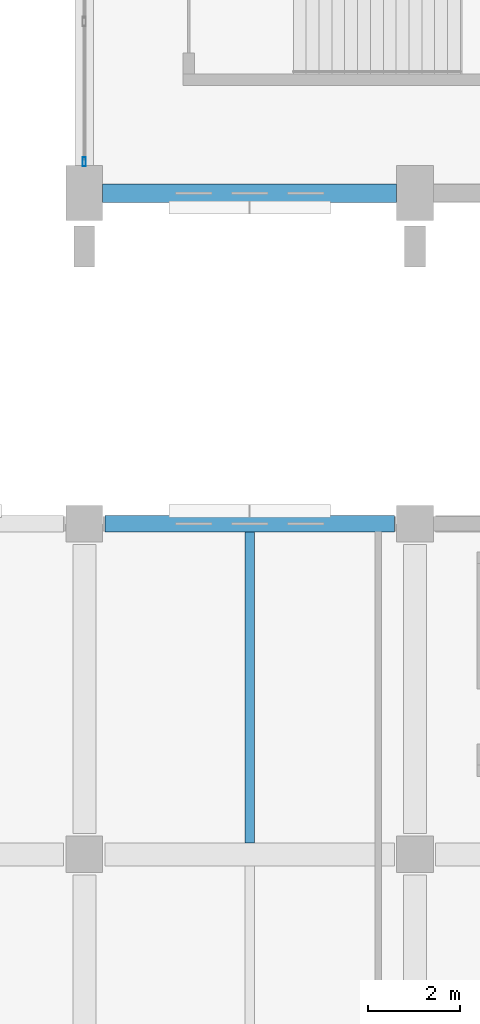
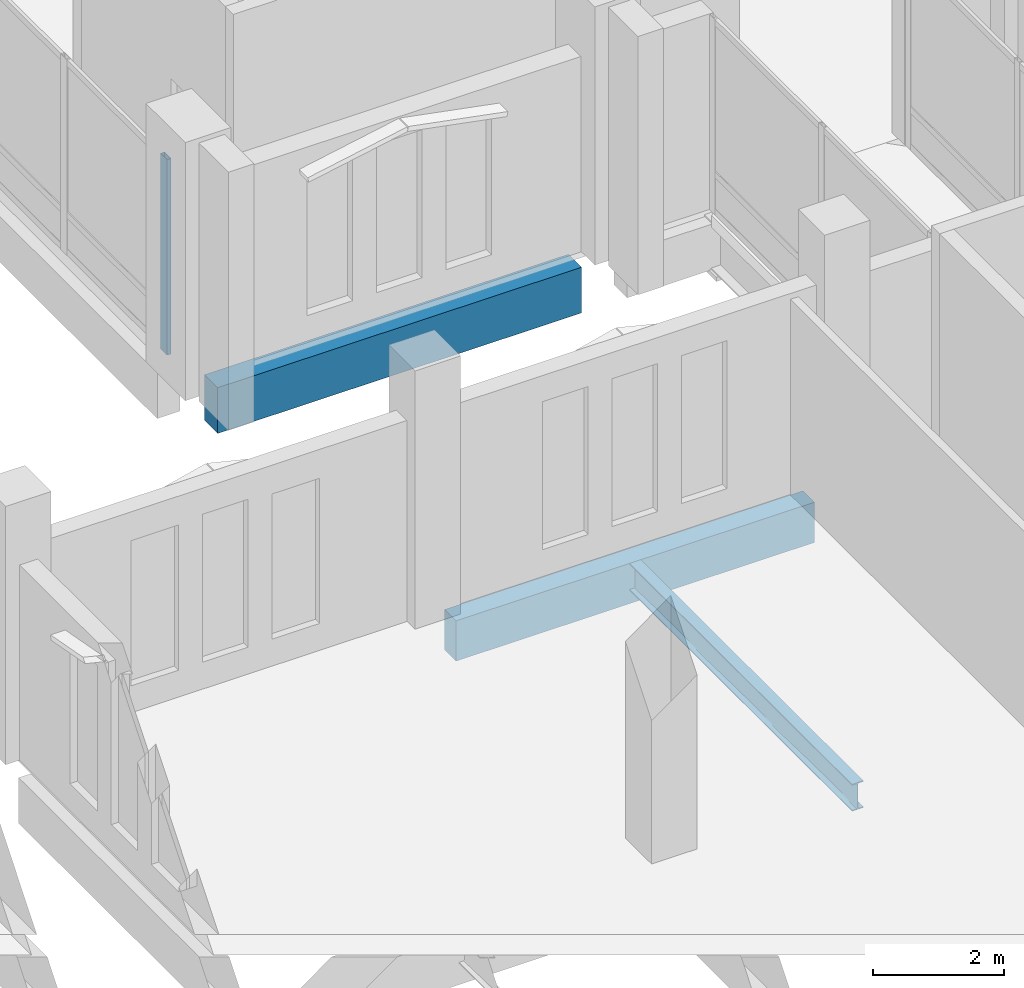
# One storey, part 85 of 220: 3 beams, 1 member, 1 element without a shape of its own.
"""IFC4 building model written with IfcOpenShell, lengths in metres."""

import ifcopenshell
import ifcopenshell.guid

model = None  # the IFC model being written
_history = None  # IfcOwnerHistory: only IFC2X3 demands one
_inside = {}  # id of a spatial element -> (the spatial element, [elements in it])
_under = {}  # id of a project, library or spatial element -> (it, [spatial elements below it])
_declared = {}  # id of a project -> (the project, [libraries it declares])
_typed = {}  # id of a type object -> (the type object, [elements of that type])
_made_of = {}  # id of a material, layer set ... -> (it, [elements and type objects made of it])


def new_model(schema):
    """Start an empty IFC model of exactly this schema.

    Asked for "IFC4X3", IfcOpenShell would pick the latest addendum, in which some entities
    have other attributes; the version numbers below select the first issue.
    IFC2X3 requires an IfcOwnerHistory on every rooted entity: one is made here for all.
    """
    global model, _history
    if schema == "IFC4X3":
        model = ifcopenshell.file(schema_version=(4, 3, 0, 0))
    else:
        model = ifcopenshell.file(schema=schema)
    _inside.clear()
    _under.clear()
    _declared.clear()
    _typed.clear()
    _made_of.clear()
    _history = None
    if model.schema == "IFC2X3":
        org = make("IfcOrganization", Name="unknown")
        user = make(
            "IfcPersonAndOrganization",
            ThePerson=make("IfcPerson", FamilyName="unknown"),
            TheOrganization=org,
        )
        app = make(
            "IfcApplication",
            ApplicationDeveloper=org,
            Version="unknown",
            ApplicationFullName="unknown",
            ApplicationIdentifier="unknown",
        )
        _history = make(
            "IfcOwnerHistory",
            OwningUser=user,
            OwningApplication=app,
            ChangeAction="ADDED",
            CreationDate=0,
        )
    return model


def make(cls, **values):
    """One entity of the class cls with the attributes given. An attribute that is None is left unset."""
    return model.create_entity(
        cls, **{name: value for name, value in values.items() if value is not None}
    )


def rooted(cls, **values):
    """An entity with a GlobalId (a new one), such as an element, a storey or a relation."""
    return make(cls, GlobalId=ifcopenshell.guid.new(), OwnerHistory=_history, **values)


def si_unit(unit_type, name, prefix=None):
    """IfcSIUnit, for example si_unit("LENGTHUNIT", "METRE", prefix="MILLI")."""
    return make("IfcSIUnit", UnitType=unit_type, Prefix=prefix, Name=name)


def assignment(units):
    """IfcUnitAssignment: the units of a project."""
    return None if units is None else make("IfcUnitAssignment", Units=units)


def point(xyz):
    """IfcCartesianPoint."""
    return None if xyz is None else make("IfcCartesianPoint", Coordinates=xyz)


def direction(xyz):
    """IfcDirection."""
    return None if xyz is None else make("IfcDirection", DirectionRatios=xyz)


def frame(location, z_axis=None, x_axis=None):
    """IfcAxis2Placement3D, a coordinate frame: its origin and axes. An axis left out is left unset."""
    return make(
        "IfcAxis2Placement3D",
        Location=point(location),
        Axis=direction(z_axis),
        RefDirection=direction(x_axis),
    )


def frame_2d(location, x_axis=None):
    """IfcAxis2Placement2D, a coordinate frame in the plane: its origin and x axis."""
    return make(
        "IfcAxis2Placement2D", Location=point(location), RefDirection=direction(x_axis)
    )


def origin():
    """The frame at (0, 0, 0) with its axes left unset."""
    return frame((0.0, 0.0, 0.0))


def origin_2d():
    """The frame at (0, 0) in the plane with its x axis left unset."""
    return frame_2d((0.0, 0.0))


def place(relative_to, where):
    """IfcLocalPlacement: puts the frame where relative to a parent placement (None: the world)."""
    return make(
        "IfcLocalPlacement", PlacementRelTo=relative_to, RelativePlacement=where
    )


def context(
    kind, dimensions, precision=None, world=None, true_north=None, identifier=None
):
    """IfcGeometricRepresentationContext, for example the 3D "Model" context."""
    return make(
        "IfcGeometricRepresentationContext",
        ContextIdentifier=identifier,
        ContextType=kind,
        CoordinateSpaceDimension=dimensions,
        Precision=precision,
        WorldCoordinateSystem=world,
        TrueNorth=true_north,
    )


def subcontext(parent, identifier, kind, view, scale=None):
    """IfcGeometricRepresentationSubContext, for example "Body" below "Model"."""
    return make(
        "IfcGeometricRepresentationSubContext",
        ContextIdentifier=identifier,
        ContextType=kind,
        ParentContext=parent,
        TargetScale=scale,
        TargetView=view,
    )


def project(units=None, contexts=None):
    """IfcProject with its units and contexts."""
    return rooted(
        "IfcProject",
        Name="project",
        RepresentationContexts=contexts,
        UnitsInContext=assignment(units),
    )


def spatial(cls, under=None, at=None, **own):
    """A site, building, storey or space (cls), placed at a placement, below another one or the project."""
    s = rooted(cls, ObjectPlacement=at, **own)
    if under is not None:
        _under.setdefault(under.id(), (under, []))[1].append(s)
    return s


def profile(cls, at=None, kind="AREA", **sizes):
    """A parametric profile (cls). Its sizes go by their IFC names, for example OverallWidth=200.0."""
    return make(cls, ProfileType=kind, Position=at, **sizes)


def rectangle(**sizes):
    """IfcRectangleProfileDef."""
    return profile("IfcRectangleProfileDef", **sizes)


def hollow_rectangle(**sizes):
    """IfcRectangleHollowProfileDef."""
    return profile("IfcRectangleHollowProfileDef", **sizes)


def i_section(**sizes):
    """IfcIShapeProfileDef."""
    return profile("IfcIShapeProfileDef", **sizes)


def extrude(swept, where, along, depth):
    """IfcExtrudedAreaSolid: the profile swept, set in the frame where, extruded along a direction by depth."""
    return make(
        "IfcExtrudedAreaSolid",
        SweptArea=swept,
        Position=where,
        ExtrudedDirection=direction(along),
        Depth=depth,
    )


def shape(context_of_items, identifier, shape_type, items):
    """IfcShapeRepresentation: the items that make up one representation, for example the "Body"."""
    return make(
        "IfcShapeRepresentation",
        ContextOfItems=context_of_items,
        RepresentationIdentifier=identifier,
        RepresentationType=shape_type,
        Items=items,
    )


def material(Name=None, Category=None):
    """IfcMaterial."""
    return make("IfcMaterial", Name=Name, Category=Category)


def material_profile(
    of_material, cross_section, Name=None, Category=None, Priority=None
):
    """IfcMaterialProfile: a cross section and its material."""
    return make(
        "IfcMaterialProfile",
        Name=Name,
        Material=of_material,
        Profile=cross_section,
        Priority=Priority,
        Category=Category,
    )


def profile_set(profiles, Name=None, composite=None):
    """IfcMaterialProfileSet."""
    return make(
        "IfcMaterialProfileSet",
        Name=Name,
        MaterialProfiles=profiles,
        CompositeProfile=composite,
    )


def made_of(thing, what):
    """Note that an element or type object is made of a material, layer set ...; save() writes the relation."""
    if what is not None:
        _made_of.setdefault(what.id(), (what, []))[1].append(thing)
    return thing


def type_object(cls, material=None, **own):
    """A type object (cls), such as IfcWallType, which elements share."""
    return made_of(rooted(cls, **own), material)


def element(
    cls,
    number,
    at=None,
    inside=None,
    cuts=None,
    type_object=None,
    material=None,
    context=None,
    identifier="Body",
    shape_type=None,
    held_by="IfcProductDefinitionShape",
    body=None,
    shapes=None,
    **own,
):
    """One element of the class cls, such as IfcWall. Its Tag is "e" and its number.

    at: its placement. inside: the storey or other place that contains it. cuts: it is an
    opening in that element (IfcRelVoidsElement). A single representation is given by context,
    identifier, shape_type and body (its items); several are given by shapes. held_by: the class
    of the entity that holds the representations. save() writes the other relations.
    """
    e = rooted(cls, Tag="e%d" % number, ObjectPlacement=at, **own)
    if body is not None:
        shapes = [shape(context, identifier, shape_type, body)]
    if shapes is not None:
        e.Representation = make(held_by, Representations=shapes)
    if inside is not None:
        _inside.setdefault(inside.id(), (inside, []))[1].append(e)
    if cuts is not None:
        rooted(
            "IfcRelVoidsElement", RelatingBuildingElement=cuts, RelatedOpeningElement=e
        )
    if type_object is not None:
        _typed.setdefault(type_object.id(), (type_object, []))[1].append(e)
    return made_of(e, material)


def aggregate(whole, parts):
    """IfcRelAggregates: a whole, such as a stair, and the parts it consists of."""
    return rooted("IfcRelAggregates", RelatingObject=whole, RelatedObjects=parts)


def save(model, path):
    """Write the relations noted so far, then the file.

    IfcRelAggregates (storeys below a building ...), IfcRelContainedInSpatialStructure (elements
    in a storey), IfcRelDefinesByType, IfcRelAssociatesMaterial and IfcRelDeclares: one each for
    every whole, place, type object, material and project.
    """
    for whole, parts in _under.values():
        aggregate(whole, parts)
    for where, things in _inside.values():
        rooted(
            "IfcRelContainedInSpatialStructure",
            RelatedElements=things,
            RelatingStructure=where,
        )
    for kind, things in _typed.values():
        rooted("IfcRelDefinesByType", RelatedObjects=things, RelatingType=kind)
    for what, things in _made_of.values():
        rooted("IfcRelAssociatesMaterial", RelatedObjects=things, RelatingMaterial=what)
    for by, libraries in _declared.values():
        rooted("IfcRelDeclares", RelatingContext=by, RelatedDefinitions=libraries)
    model.write(path)


model = new_model("IFC4")

# Units and contexts
model_context = context("Model", 3, precision=1e-05, world=origin(), true_north=direction((0.0, 1.0)))
body_context = subcontext(model_context, "Body", "Model", "MODEL_VIEW")
ifc_project = project(units=[si_unit("LENGTHUNIT", "METRE"), si_unit("AREAUNIT", "SQUARE_METRE"), si_unit("VOLUMEUNIT", "CUBIC_METRE"), si_unit("PLANEANGLEUNIT", "RADIAN"), si_unit("MASSUNIT", "GRAM", prefix="KILO")], contexts=[model_context])

# Site, building, storey
site_placement = place(None, origin())
site = spatial("IfcSite", under=ifc_project, at=site_placement, CompositionType="ELEMENT")
building_placement = place(site_placement, origin())
building = spatial("IfcBuilding", under=site, at=building_placement, Name="Cendralis Lancet Convention Centre", CompositionType="ELEMENT")
storey_placement = place(building_placement, frame((0.0, 0.0, 5.39990234375)))
storey = spatial("IfcBuildingStorey", under=building, at=storey_placement, Name="L01", CompositionType="ELEMENT", Elevation=5.39990234375)

# Curtain wall, member
ifc_material_1 = material(Name="Anodised bronze architectural aluminium", Category="aluminium")
curtain_wall_type = type_object("IfcCurtainWallType", Name="ARC-CW-PL01", PredefinedType="USERDEFINED", material=ifc_material_1)
curtain_wall_placement = place(storey_placement, origin())
curtain_wall = element("IfcCurtainWall", 1, at=curtain_wall_placement, inside=storey, type_object=curtain_wall_type, Name="L01 Curtain Wall CW-PL1 #116", ObjectType="CURTAIN WALL", PredefinedType="USERDEFINED")
ifc_material_profile_1 = material_profile(ifc_material_1, hollow_rectangle(XDim=0.070068359375, YDim=0.199951171875, WallThickness=0.0048828125, at=origin_2d()), Name="AL-MULL 70x200x5.0")
ifc_profile_set_1 = profile_set([ifc_material_profile_1], Name="Anodised bronze architectural aluminium")
member_type = type_object("IfcMemberType", Name="ARC-CW-ML02", PredefinedType="MULLION", material=ifc_profile_set_1)
member_placement = place(storey_placement, frame((139.199951171875, 43.885009765625, 0.0), z_axis=(0.0, 0.0, 1.0), x_axis=(1.0, 0.0, 0.0)))
member = element("IfcMember", 2, at=member_placement, type_object=member_type, Name="Mullion CW2-CW-PL1-L01-116-M0", PredefinedType="MULLION", context=body_context, shape_type="SweptSolid", body=[
    extrude(hollow_rectangle(XDim=0.070068359375, YDim=0.199951171875, WallThickness=0.0048828125, at=origin_2d()), origin(), (0.0, 0.0, 1.0), 3.635009765625),
])
aggregate(curtain_wall, [member])

# Beams
ifc_material_2 = material(Name="Steel S355", Category="steel")
ifc_material_profile_2 = material_profile(ifc_material_2, i_section(OverallWidth=0.199951171875, OverallDepth=0.5, WebThickness=0.01025390625, FlangeThickness=0.01611328125, FilletRadius=0.02099609375, at=origin_2d()), Name="IPE 500")
ifc_profile_set_2 = profile_set([ifc_material_profile_2], Name="Steel S355")
beam_type_1 = type_object("IfcBeamType", Name="STR-JS-BJ06", PredefinedType="JOIST", material=ifc_profile_set_2)
beam_1_placement = place(storey_placement, frame((142.800048828125, 29.050048828125, -0.52978515625), z_axis=(0.0, 1.0, 0.0), x_axis=(-1.0, 0.0, 0.0)))
element("IfcBeam", 3, at=beam_1_placement, inside=storey, type_object=beam_type_1, Name="L01 Beam BJ06 #0226", PredefinedType="JOIST", context=body_context, shape_type="SweptSolid", body=[
    extrude(i_section(OverallWidth=0.199951171875, OverallDepth=0.5, WebThickness=0.01025390625, FlangeThickness=0.01611328125, FilletRadius=0.02099609375, at=origin_2d()), origin(), (0.0, 0.0, 1.0), 6.77490234375),
])
ifc_material_3 = material(Name="Concrete G40 (C40/50)", Category="concrete")
ifc_material_profile_3 = material_profile(ifc_material_3, rectangle(XDim=0.35009765625, YDim=0.75, at=origin_2d()), Name="RCB 350x750")
ifc_profile_set_3 = profile_set([ifc_material_profile_3], Name="Concrete G40 (C40/50)")
beam_type_2 = type_object("IfcBeamType", Name="STR-SP-SP01", PredefinedType="SPANDREL", material=ifc_profile_set_3)
beam_2_placement = place(storey_placement, frame((139.64990234375, 36.0, -0.65478515625), z_axis=(1.0, 0.0, 0.0), x_axis=(0.0, 1.0, 0.0)))
element("IfcBeam", 4, at=beam_2_placement, inside=storey, type_object=beam_type_2, Name="L01 Beam SP01 #0168", PredefinedType="SPANDREL", context=body_context, shape_type="SweptSolid", body=[
    extrude(rectangle(XDim=0.35009765625, YDim=0.75, at=origin_2d()), origin(), (0.0, 0.0, 1.0), 6.300048828125),
])
ifc_material_profile_4 = material_profile(ifc_material_3, rectangle(XDim=0.39990234375, YDim=0.85009765625, at=origin_2d()), Name="RCB 400x850")
ifc_profile_set_4 = profile_set([ifc_material_profile_4], Name="Concrete G40 (C40/50)")
beam_type_3 = type_object("IfcBeamType", Name="STR-SP-SP02", PredefinedType="SPANDREL", material=ifc_profile_set_4)
beam_3_placement = place(storey_placement, frame((139.60009765625, 43.199951171875, -0.704833984375), z_axis=(1.0, 0.0, 0.0), x_axis=(0.0, 1.0, 0.0)))
element("IfcBeam", 5, at=beam_3_placement, inside=storey, type_object=beam_type_3, Name="L01 Beam SP02 #1394", PredefinedType="SPANDREL", context=body_context, shape_type="SweptSolid", body=[
    extrude(rectangle(XDim=0.39990234375, YDim=0.85009765625, at=origin_2d()), origin(), (0.0, 0.0, 1.0), 6.39990234375),
])

save(model, "model.ifc")
